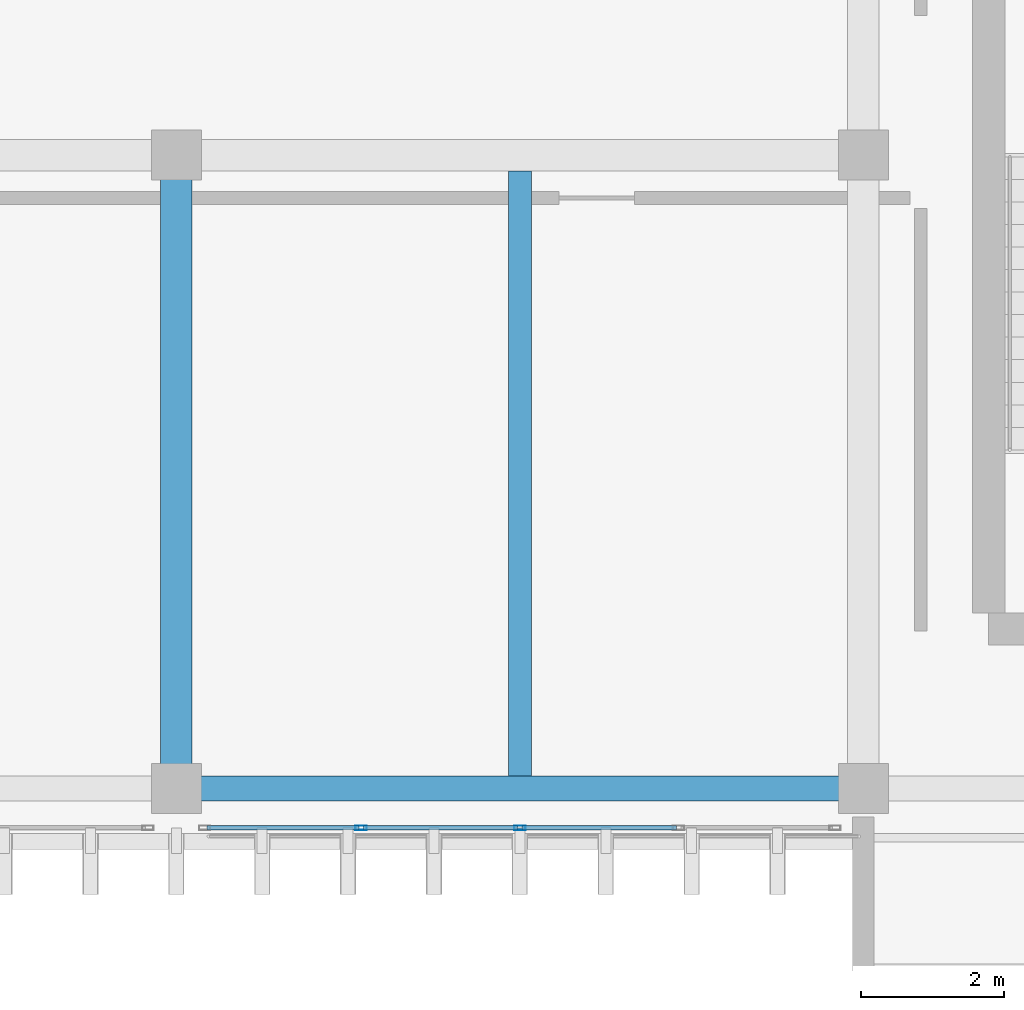
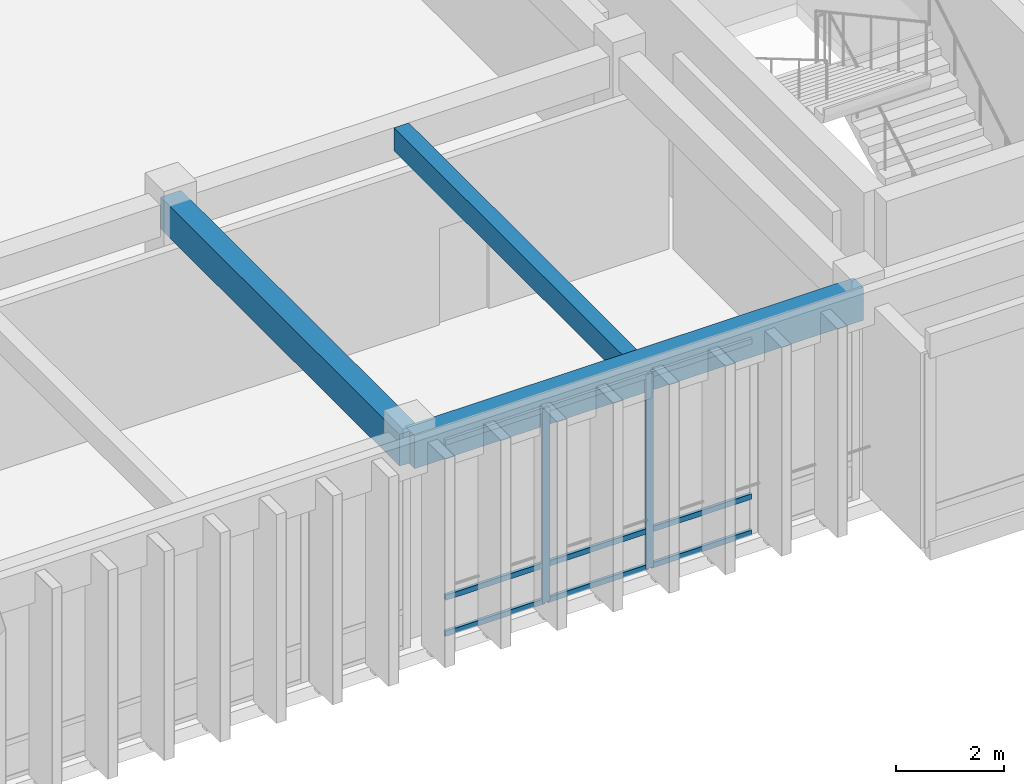
# One storey, part 15 of 133: 11 members, 3 beams, 1 element without a shape of its own.
"""IFC4 building model written with IfcOpenShell, lengths in metres."""

from ifc_helpers import new_model, si_unit, direction, frame, origin, origin_2d, place, context, subcontext, project, spatial, rectangle, hollow_rectangle, extrude, material, layer, layer_set, material_profile, profile_set, type_object, element, aggregate, save


model = new_model("IFC4")

# Units and contexts
model_context = context("Model", 3, precision=1e-05, world=origin(), true_north=direction((0.0, 1.0)))
body_context = subcontext(model_context, "Body", "Model", "MODEL_VIEW")
ifc_project = project(units=[si_unit("LENGTHUNIT", "METRE"), si_unit("AREAUNIT", "SQUARE_METRE"), si_unit("VOLUMEUNIT", "CUBIC_METRE"), si_unit("PLANEANGLEUNIT", "RADIAN"), si_unit("MASSUNIT", "GRAM", prefix="KILO")], contexts=[model_context])

# Site, building, storey
site_placement = place(None, origin())
site = spatial("IfcSite", under=ifc_project, at=site_placement, CompositionType="ELEMENT")
building_placement = place(site_placement, origin())
building = spatial("IfcBuilding", under=site, at=building_placement, Name="Nakhvara Creek Congress Hotel", CompositionType="ELEMENT")
storey_placement = place(building_placement, frame((0.0, 0.0, 11.39990234375)))
storey = spatial("IfcBuildingStorey", under=building, at=storey_placement, Name="L02", CompositionType="ELEMENT", Elevation=11.39990234375)

# Beams
ifc_material_1 = material(Name="Concrete C40/50", Category="concrete")
ifc_material_profile_1 = material_profile(ifc_material_1, rectangle(XDim=0.320068359375, YDim=0.52001953125, at=origin_2d()), Name="RC-BM 320x520", Category="LoadBearing")
ifc_profile_set_1 = profile_set([ifc_material_profile_1], Name="Concrete C40/50")
beam_type_1 = type_object("IfcBeamType", Name="BM-RC-320X520", PredefinedType="JOIST", material=ifc_profile_set_1)
beam_1_placement = place(storey_placement, frame((110.39990234375, 0.925048828125, 4.16015625), z_axis=(0.0, 1.0, 0.0), x_axis=(-1.0, 0.0, 0.0)))
element("IfcBeam", 1, at=beam_1_placement, inside=storey, type_object=beam_type_1, Name="Secondary Joist BJ2-L02-1680", PredefinedType="JOIST", context=body_context, shape_type="SweptSolid", body=[
    extrude(rectangle(XDim=0.320068359375, YDim=0.52001953125, at=origin_2d()), origin(), (0.0, 0.0, 1.0), 8.454833984375),
])
ifc_material_profile_2 = material_profile(ifc_material_1, rectangle(XDim=0.43994140625, YDim=0.719970703125, at=origin_2d()), Name="RC-BM 440x720", Category="LoadBearing")
ifc_profile_set_2 = profile_set([ifc_material_profile_2], Name="Concrete C40/50")
beam_type_2 = type_object("IfcBeamType", Name="BM-RC-440X720", PredefinedType="BEAM", material=ifc_profile_set_2)
beam_2_placement = place(storey_placement, frame((105.60009765625, 0.75, 4.06005859375), z_axis=(0.0, 1.0, 0.0), x_axis=(-1.0, 0.0, 0.0)))
element("IfcBeam", 2, at=beam_2_placement, inside=storey, type_object=beam_type_2, Name="Beam B12-L02-1492", PredefinedType="BEAM", context=body_context, shape_type="SweptSolid", body=[
    extrude(rectangle(XDim=0.43994140625, YDim=0.719970703125, at=origin_2d()), origin(), (0.0, 0.0, 1.0), 8.85009765625),
])
ifc_material_profile_3 = material_profile(ifc_material_1, rectangle(XDim=0.35009765625, YDim=0.75, at=origin_2d()), Name="RC-SPANDREL 350x750", Category="LoadBearing")
ifc_profile_set_3 = profile_set([ifc_material_profile_3], Name="Concrete C40/50")
beam_type_3 = type_object("IfcBeamType", Name="BM-SPN-350X750", PredefinedType="SPANDREL", material=ifc_profile_set_3)
beam_3_placement = place(storey_placement, frame((105.60009765625, 0.75, 4.045166015625), z_axis=(1.0, 0.0, 0.0), x_axis=(0.0, 1.0, 0.0)))
element("IfcBeam", 3, at=beam_3_placement, inside=storey, type_object=beam_type_3, Name="Beam SP1-L02-1493", PredefinedType="SPANDREL", context=body_context, shape_type="SweptSolid", body=[
    extrude(rectangle(XDim=0.35009765625, YDim=0.75, at=origin_2d()), origin(), (0.0, 0.0, 1.0), 9.599853515625),
])

# Curtain wall, members
ifc_material_2 = material(Name="Bronze-anodised aluminium AW-6063-T6 and double-silver low-E glass", Category="aluminium")
ifc_layer = layer(ifc_material_2, 0.199951171875)
ifc_layer_set = layer_set([ifc_layer], Name="Bronze-anodised aluminium AW-6063-T6 and double-silver low-E glass")
curtain_wall_type = type_object("IfcCurtainWallType", Name="CW-SPA-STICK", PredefinedType="NOTDEFINED", material=ifc_layer_set)
curtain_wall_placement = place(storey_placement, origin())
curtain_wall = element("IfcCurtainWall", 4, at=curtain_wall_placement, inside=storey, type_object=curtain_wall_type, Name="Curtain Wall CW095", PredefinedType="NOTDEFINED")
ifc_material_3 = material(Name="Bronze-anodised aluminium AW-6063-T6", Category="aluminium")
ifc_material_profile_4 = material_profile(ifc_material_3, hollow_rectangle(XDim=0.06494140625, YDim=0.159912109375, WallThickness=0.00390625, at=origin_2d()), Name="ALU-MULL 65x160x4", Category="LoadBearing")
ifc_profile_set_4 = profile_set([ifc_material_profile_4], Name="Bronze-anodised aluminium AW-6063-T6")
member_type_1 = type_object("IfcMemberType", Name="CW-MULL-160", PredefinedType="MULLION", material=ifc_profile_set_4)
member_1_placement = place(storey_placement, frame((110.39990234375, 0.199951171875, 0.0), z_axis=(0.0, 0.0, 1.0), x_axis=(0.0, -1.0, 0.0)))
member_1 = element("IfcMember", 5, at=member_1_placement, type_object=member_type_1, Name="CW095 mullion 3", PredefinedType="MULLION", context=body_context, shape_type="SweptSolid", body=[
    extrude(hollow_rectangle(XDim=0.06494140625, YDim=0.159912109375, WallThickness=0.00390625, at=origin_2d()), origin(), (0.0, 0.0, 1.0), 4.39013671875),
])
member_2_placement = place(storey_placement, frame((108.1826171875, 0.199951171875, 0.0), z_axis=(0.0, 0.0, 1.0), x_axis=(0.0, -1.0, 0.0)))
member_2 = element("IfcMember", 6, at=member_2_placement, type_object=member_type_1, Name="CW095 mullion 4", PredefinedType="MULLION", context=body_context, shape_type="SweptSolid", body=[
    extrude(hollow_rectangle(XDim=0.06494140625, YDim=0.159912109375, WallThickness=0.00390625, at=origin_2d()), origin(), (0.0, 0.0, 1.0), 4.39013671875),
])
ifc_material_profile_5 = material_profile(ifc_material_3, hollow_rectangle(XDim=0.06494140625, YDim=0.1201171875, WallThickness=0.00390625, at=origin_2d()), Name="ALU-TRAN 65x120x4", Category="LoadBearing")
ifc_profile_set_5 = profile_set([ifc_material_profile_5], Name="Bronze-anodised aluminium AW-6063-T6")
member_type_2 = type_object("IfcMemberType", Name="CW-TRAN-120", PredefinedType="USERDEFINED", material=ifc_profile_set_5)
member_3_placement = place(storey_placement, frame((112.5849609375, 0.199951171875, 0.03271484375), z_axis=(-1.0, 0.0, 0.0), x_axis=(0.0, -1.0, 0.0)))
member_3 = element("IfcMember", 7, at=member_3_placement, type_object=member_type_2, Name="CW095 transom 2.1", ObjectType="TRANSOM", PredefinedType="USERDEFINED", context=body_context, shape_type="SweptSolid", body=[
    extrude(hollow_rectangle(XDim=0.06494140625, YDim=0.1201171875, WallThickness=0.00390625, at=origin_2d()), origin(), (0.0, 0.0, 1.0), 2.15234375),
])
member_4_placement = place(storey_placement, frame((112.5849609375, 0.199951171875, 0.85009765625), z_axis=(-1.0, 0.0, 0.0), x_axis=(0.0, -1.0, 0.0)))
member_4 = element("IfcMember", 8, at=member_4_placement, type_object=member_type_2, Name="CW095 transom 2.2", ObjectType="TRANSOM", PredefinedType="USERDEFINED", context=body_context, shape_type="SweptSolid", body=[
    extrude(hollow_rectangle(XDim=0.06494140625, YDim=0.1201171875, WallThickness=0.00390625, at=origin_2d()), origin(), (0.0, 0.0, 1.0), 2.15234375),
])
member_5_placement = place(storey_placement, frame((112.5849609375, 0.199951171875, 4.357666015625), z_axis=(-1.0, 0.0, 0.0), x_axis=(0.0, -1.0, 0.0)))
member_5 = element("IfcMember", 9, at=member_5_placement, type_object=member_type_2, Name="CW095 transom 2.3", ObjectType="TRANSOM", PredefinedType="USERDEFINED", context=body_context, shape_type="SweptSolid", body=[
    extrude(hollow_rectangle(XDim=0.06494140625, YDim=0.1201171875, WallThickness=0.00390625, at=origin_2d()), origin(), (0.0, 0.0, 1.0), 2.15234375),
])
member_6_placement = place(storey_placement, frame((110.367431640625, 0.199951171875, 0.03271484375), z_axis=(-1.0, 0.0, 0.0), x_axis=(0.0, -1.0, 0.0)))
member_6 = element("IfcMember", 10, at=member_6_placement, type_object=member_type_2, Name="CW095 transom 3.1", ObjectType="TRANSOM", PredefinedType="USERDEFINED", context=body_context, shape_type="SweptSolid", body=[
    extrude(hollow_rectangle(XDim=0.06494140625, YDim=0.1201171875, WallThickness=0.00390625, at=origin_2d()), origin(), (0.0, 0.0, 1.0), 2.15234375),
])
member_7_placement = place(storey_placement, frame((110.367431640625, 0.199951171875, 0.85009765625), z_axis=(-1.0, 0.0, 0.0), x_axis=(0.0, -1.0, 0.0)))
member_7 = element("IfcMember", 11, at=member_7_placement, type_object=member_type_2, Name="CW095 transom 3.2", ObjectType="TRANSOM", PredefinedType="USERDEFINED", context=body_context, shape_type="SweptSolid", body=[
    extrude(hollow_rectangle(XDim=0.06494140625, YDim=0.1201171875, WallThickness=0.00390625, at=origin_2d()), origin(), (0.0, 0.0, 1.0), 2.15234375),
])
member_8_placement = place(storey_placement, frame((110.367431640625, 0.199951171875, 4.357666015625), z_axis=(-1.0, 0.0, 0.0), x_axis=(0.0, -1.0, 0.0)))
member_8 = element("IfcMember", 12, at=member_8_placement, type_object=member_type_2, Name="CW095 transom 3.3", ObjectType="TRANSOM", PredefinedType="USERDEFINED", context=body_context, shape_type="SweptSolid", body=[
    extrude(hollow_rectangle(XDim=0.06494140625, YDim=0.1201171875, WallThickness=0.00390625, at=origin_2d()), origin(), (0.0, 0.0, 1.0), 2.15234375),
])
member_9_placement = place(storey_placement, frame((108.14990234375, 0.199951171875, 0.03271484375), z_axis=(-1.0, 0.0, 0.0), x_axis=(0.0, -1.0, 0.0)))
member_9 = element("IfcMember", 13, at=member_9_placement, type_object=member_type_2, Name="CW095 transom 4.1", ObjectType="TRANSOM", PredefinedType="USERDEFINED", context=body_context, shape_type="SweptSolid", body=[
    extrude(hollow_rectangle(XDim=0.06494140625, YDim=0.1201171875, WallThickness=0.00390625, at=origin_2d()), origin(), (0.0, 0.0, 1.0), 2.119873046875),
])
member_10_placement = place(storey_placement, frame((108.14990234375, 0.199951171875, 0.85009765625), z_axis=(-1.0, 0.0, 0.0), x_axis=(0.0, -1.0, 0.0)))
member_10 = element("IfcMember", 14, at=member_10_placement, type_object=member_type_2, Name="CW095 transom 4.2", ObjectType="TRANSOM", PredefinedType="USERDEFINED", context=body_context, shape_type="SweptSolid", body=[
    extrude(hollow_rectangle(XDim=0.06494140625, YDim=0.1201171875, WallThickness=0.00390625, at=origin_2d()), origin(), (0.0, 0.0, 1.0), 2.119873046875),
])
member_11_placement = place(storey_placement, frame((108.14990234375, 0.199951171875, 4.357666015625), z_axis=(-1.0, 0.0, 0.0), x_axis=(0.0, -1.0, 0.0)))
member_11 = element("IfcMember", 15, at=member_11_placement, type_object=member_type_2, Name="CW095 transom 4.3", ObjectType="TRANSOM", PredefinedType="USERDEFINED", context=body_context, shape_type="SweptSolid", body=[
    extrude(hollow_rectangle(XDim=0.06494140625, YDim=0.1201171875, WallThickness=0.00390625, at=origin_2d()), origin(), (0.0, 0.0, 1.0), 2.119873046875),
])
aggregate(curtain_wall, [member_1, member_2, member_3, member_4, member_5, member_6, member_7, member_8, member_9, member_10, member_11])

save(model, "model.ifc")
